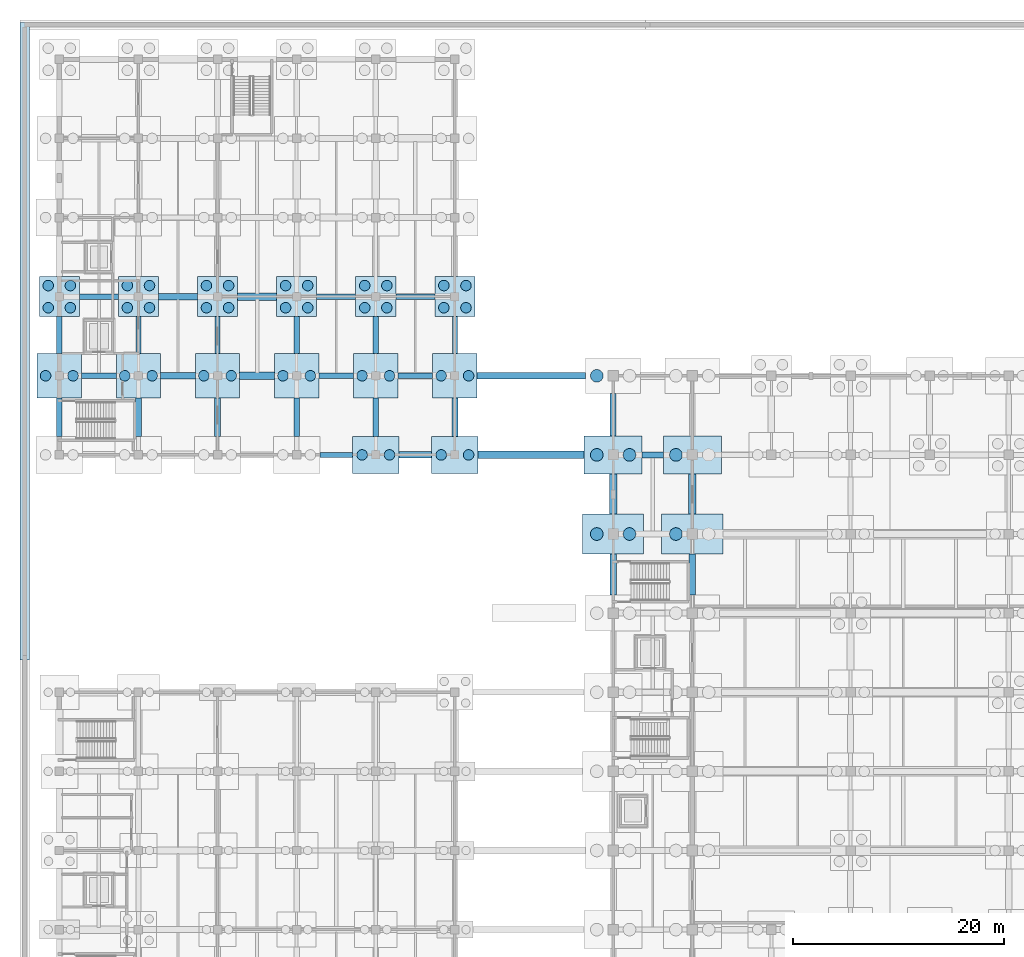
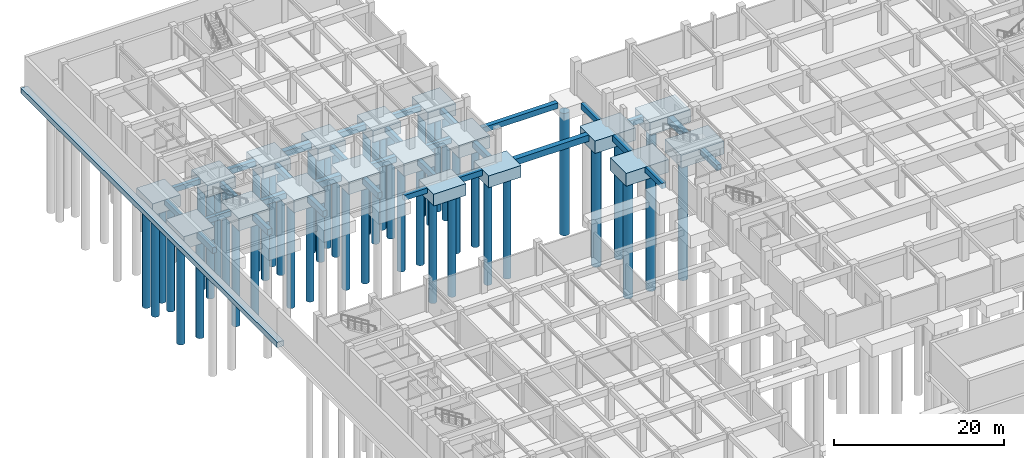
# One storey, part 6 of 38: 51 footings, 47 piles.
"""IFC4 building model written with IfcOpenShell, lengths in metres."""

from ifc_helpers import new_model, si_unit, direction, frame, origin, origin_2d, place, context, subcontext, project, spatial, polyline, rectangle, circle, outline, extrude, material, material_profile, profile_set, type_object, element, save


model = new_model("IFC4")

# Units and contexts
model_context = context("Model", 3, precision=1e-05, world=origin(), true_north=direction((0.0, 1.0)))
body_context = subcontext(model_context, "Body", "Model", "MODEL_VIEW")
ifc_project = project(units=[si_unit("LENGTHUNIT", "METRE"), si_unit("AREAUNIT", "SQUARE_METRE"), si_unit("VOLUMEUNIT", "CUBIC_METRE"), si_unit("PLANEANGLEUNIT", "RADIAN"), si_unit("MASSUNIT", "GRAM", prefix="KILO")], contexts=[model_context])

# Site, building, storey
site_placement = place(None, origin())
site = spatial("IfcSite", under=ifc_project, at=site_placement, CompositionType="ELEMENT")
building_placement = place(site_placement, origin())
building = spatial("IfcBuilding", under=site, at=building_placement, Name="Qasida Concert Hall", CompositionType="ELEMENT")
storey_placement = place(building_placement, frame((0.0, 0.0, -4.800048828125)))
storey = spatial("IfcBuildingStorey", under=building, at=storey_placement, Name="B1", CompositionType="ELEMENT", Elevation=-4.800048828125)

# Footings
ifc_material = material(Name="Concrete C40/50", Category="concrete")
footing_type_1 = type_object("IfcFootingType", Name="FT-GB-1", PredefinedType="FOOTING_BEAM", material=ifc_material)
footing_1_placement = place(storey_placement, frame((0.0, 0.0, -1.169921875)))
element("IfcFooting", 1, at=footing_1_placement, inside=storey, type_object=footing_type_1, Name="Ground tie beam GB-1 104", PredefinedType="FOOTING_BEAM", context=body_context, shape_type="SweptSolid", body=[
    extrude(outline(polyline([(24.699951171875, 74.75), (27.800048828125, 74.75), (27.800048828125, 75.25), (24.699951171875, 75.25), (24.699951171875, 74.75)])), origin(), (0.0, 0.0, 1.0), 0.75),
])
footing_2_placement = place(storey_placement, frame((0.0, 0.0, -1.169921875)))
element("IfcFooting", 2, at=footing_2_placement, inside=storey, type_object=footing_type_1, Name="Ground tie beam GB-1 120", PredefinedType="FOOTING_BEAM", context=body_context, shape_type="SweptSolid", body=[
    extrude(outline(polyline([(2.10009765625, 82.25), (5.39990234375, 82.25), (5.39990234375, 82.75), (2.10009765625, 82.75), (2.10009765625, 82.25)])), origin(), (0.0, 0.0, 1.0), 0.75),
])
footing_3_placement = place(storey_placement, frame((0.0, 0.0, -1.169921875)))
element("IfcFooting", 3, at=footing_3_placement, inside=storey, type_object=footing_type_1, Name="Ground tie beam GB-1 124", PredefinedType="FOOTING_BEAM", context=body_context, shape_type="SweptSolid", body=[
    extrude(outline(polyline([(32.10009765625, 82.25), (35.39990234375, 82.25), (35.39990234375, 82.75), (32.10009765625, 82.75), (32.10009765625, 82.25)])), origin(), (0.0, 0.0, 1.0), 0.75),
])
footing_4_placement = place(storey_placement, frame((0.0, 0.0, -1.169921875)))
element("IfcFooting", 4, at=footing_4_placement, inside=storey, type_object=footing_type_1, Name="Ground tie beam GB-1 140", PredefinedType="FOOTING_BEAM", context=body_context, shape_type="SweptSolid", body=[
    extrude(outline(polyline([(1.89990234375, 89.75), (5.60009765625, 89.75), (5.60009765625, 90.25), (1.89990234375, 90.25), (1.89990234375, 89.75)])), origin(), (0.0, 0.0, 1.0), 0.75),
])
footing_5_placement = place(storey_placement, frame((0.0, 0.0, -1.169921875)))
element("IfcFooting", 5, at=footing_5_placement, inside=storey, type_object=footing_type_1, Name="Ground tie beam GB-1 144", PredefinedType="FOOTING_BEAM", context=body_context, shape_type="SweptSolid", body=[
    extrude(outline(polyline([(31.89990234375, 89.75), (35.60009765625, 89.75), (35.60009765625, 90.25), (31.89990234375, 90.25), (31.89990234375, 89.75)])), origin(), (0.0, 0.0, 1.0), 0.75),
])
footing_6_placement = place(storey_placement, frame((0.0, 0.0, -1.169921875)))
element("IfcFooting", 6, at=footing_6_placement, inside=storey, type_object=footing_type_1, Name="Ground tie beam GB-1 192", PredefinedType="FOOTING_BEAM", context=body_context, shape_type="SweptSolid", body=[
    extrude(outline(polyline([(-0.25, 84.60009765625), (0.25, 84.60009765625), (0.25, 88.10009765625), (-0.25, 88.10009765625), (-0.25, 84.60009765625)])), origin(), (0.0, 0.0, 1.0), 0.75),
])
footing_7_placement = place(storey_placement, frame((0.0, 0.0, -1.169921875)))
element("IfcFooting", 7, at=footing_7_placement, inside=storey, type_object=footing_type_1, Name="Ground tie beam GB-1 204", PredefinedType="FOOTING_BEAM", context=body_context, shape_type="SweptSolid", body=[
    extrude(outline(polyline([(7.25, 84.60009765625), (7.75, 84.60009765625), (7.75, 88.10009765625), (7.25, 88.10009765625), (7.25, 84.60009765625)])), origin(), (0.0, 0.0, 1.0), 0.75),
])
footing_8_placement = place(storey_placement, frame((0.0, 0.0, -1.169921875)))
element("IfcFooting", 8, at=footing_8_placement, inside=storey, type_object=footing_type_1, Name="Ground tie beam GB-1 216", PredefinedType="FOOTING_BEAM", context=body_context, shape_type="SweptSolid", body=[
    extrude(outline(polyline([(14.75, 84.60009765625), (15.25, 84.60009765625), (15.25, 88.10009765625), (14.75, 88.10009765625), (14.75, 84.60009765625)])), origin(), (0.0, 0.0, 1.0), 0.75),
])
footing_9_placement = place(storey_placement, frame((0.0, 0.0, -1.169921875)))
element("IfcFooting", 9, at=footing_9_placement, inside=storey, type_object=footing_type_1, Name="Ground tie beam GB-1 228", PredefinedType="FOOTING_BEAM", context=body_context, shape_type="SweptSolid", body=[
    extrude(outline(polyline([(22.25, 84.60009765625), (22.75, 84.60009765625), (22.75, 88.10009765625), (22.25, 88.10009765625), (22.25, 84.60009765625)])), origin(), (0.0, 0.0, 1.0), 0.75),
])
footing_10_placement = place(storey_placement, frame((0.0, 0.0, -1.169921875)))
element("IfcFooting", 10, at=footing_10_placement, inside=storey, type_object=footing_type_1, Name="Ground tie beam GB-1 240", PredefinedType="FOOTING_BEAM", context=body_context, shape_type="SweptSolid", body=[
    extrude(outline(polyline([(29.75, 84.60009765625), (30.25, 84.60009765625), (30.25, 88.10009765625), (29.75, 88.10009765625), (29.75, 84.60009765625)])), origin(), (0.0, 0.0, 1.0), 0.75),
])
footing_11_placement = place(storey_placement, frame((0.0, 0.0, -1.169921875)))
element("IfcFooting", 11, at=footing_11_placement, inside=storey, type_object=footing_type_1, Name="Ground tie beam GB-1 252", PredefinedType="FOOTING_BEAM", context=body_context, shape_type="SweptSolid", body=[
    extrude(outline(polyline([(37.25, 84.60009765625), (37.75, 84.60009765625), (37.75, 88.10009765625), (37.25, 88.10009765625), (37.25, 84.60009765625)])), origin(), (0.0, 0.0, 1.0), 0.75),
])
footing_type_2 = type_object("IfcFootingType", Name="FT-GB-2", PredefinedType="FOOTING_BEAM", material=ifc_material)
footing_12_placement = place(storey_placement, frame((0.0, 0.0, -1.219970703125)))
element("IfcFooting", 12, at=footing_12_placement, inside=storey, type_object=footing_type_2, Name="Ground tie beam GB-2 105", PredefinedType="FOOTING_BEAM", context=body_context, shape_type="SweptSolid", body=[
    extrude(outline(polyline([(32.199951171875, 74.699951171875), (35.300048828125, 74.699951171875), (35.300048828125, 75.300048828125), (32.199951171875, 75.300048828125), (32.199951171875, 74.699951171875)])), origin(), (0.0, 0.0, 1.0), 0.800048828125),
])
footing_13_placement = place(storey_placement, frame((0.0, 0.0, -1.219970703125)))
element("IfcFooting", 13, at=footing_13_placement, inside=storey, type_object=footing_type_2, Name="Ground tie beam GB-2 121", PredefinedType="FOOTING_BEAM", context=body_context, shape_type="SweptSolid", body=[
    extrude(outline(polyline([(9.60009765625, 82.199951171875), (12.89990234375, 82.199951171875), (12.89990234375, 82.800048828125), (9.60009765625, 82.800048828125), (9.60009765625, 82.199951171875)])), origin(), (0.0, 0.0, 1.0), 0.800048828125),
])
footing_14_placement = place(storey_placement, frame((0.0, 0.0, -1.219970703125)))
element("IfcFooting", 14, at=footing_14_placement, inside=storey, type_object=footing_type_2, Name="Ground tie beam GB-2 125", PredefinedType="FOOTING_BEAM", context=body_context, shape_type="SweptSolid", body=[
    extrude(outline(polyline([(39.60009765625, 82.199951171875), (49.89990234375, 82.199951171875), (49.89990234375, 82.800048828125), (39.60009765625, 82.800048828125), (39.60009765625, 82.199951171875)])), origin(), (0.0, 0.0, 1.0), 0.800048828125),
])
footing_15_placement = place(storey_placement, frame((0.0, 0.0, -1.219970703125)))
element("IfcFooting", 15, at=footing_15_placement, inside=storey, type_object=footing_type_2, Name="Ground tie beam GB-2 141", PredefinedType="FOOTING_BEAM", context=body_context, shape_type="SweptSolid", body=[
    extrude(outline(polyline([(9.39990234375, 89.699951171875), (13.10009765625, 89.699951171875), (13.10009765625, 90.300048828125), (9.39990234375, 90.300048828125), (9.39990234375, 89.699951171875)])), origin(), (0.0, 0.0, 1.0), 0.800048828125),
])
footing_16_placement = place(storey_placement, frame((0.0, 0.0, -1.219970703125)))
element("IfcFooting", 16, at=footing_16_placement, inside=storey, type_object=footing_type_2, Name="Ground tie beam GB-2 261", PredefinedType="FOOTING_BEAM", context=body_context, shape_type="SweptSolid", body=[
    extrude(outline(polyline([(52.199951171875, 61.699951171875), (52.800048828125, 61.699951171875), (52.800048828125, 65.60009765625), (52.199951171875, 65.60009765625), (52.199951171875, 61.699951171875)])), origin(), (0.0, 0.0, 1.0), 0.800048828125),
])
footing_17_placement = place(storey_placement, frame((0.0, 0.0, -1.219970703125)))
element("IfcFooting", 17, at=footing_17_placement, inside=storey, type_object=footing_type_2, Name="Ground tie beam GB-2 269", PredefinedType="FOOTING_BEAM", context=body_context, shape_type="SweptSolid", body=[
    extrude(outline(polyline([(59.699951171875, 61.699951171875), (60.300048828125, 61.699951171875), (60.300048828125, 65.60009765625), (59.699951171875, 65.60009765625), (59.699951171875, 61.699951171875)])), origin(), (0.0, 0.0, 1.0), 0.800048828125),
])
footing_type_3 = type_object("IfcFootingType", Name="FT-GB-3", PredefinedType="FOOTING_BEAM", material=ifc_material)
footing_18_placement = place(storey_placement, frame((0.0, 0.0, -1.320068359375)))
element("IfcFooting", 18, at=footing_18_placement, inside=storey, type_object=footing_type_3, Name="Ground tie beam GB-3 106", PredefinedType="FOOTING_BEAM", context=body_context, shape_type="SweptSolid", body=[
    extrude(outline(polyline([(39.699951171875, 74.64990234375), (49.75, 74.64990234375), (49.75, 75.35009765625), (39.699951171875, 75.35009765625), (39.699951171875, 74.64990234375)])), origin(), (0.0, 0.0, 1.0), 0.900146484375),
])
footing_19_placement = place(storey_placement, frame((0.0, 0.0, -1.320068359375)))
element("IfcFooting", 19, at=footing_19_placement, inside=storey, type_object=footing_type_3, Name="Ground tie beam GB-3 122", PredefinedType="FOOTING_BEAM", context=body_context, shape_type="SweptSolid", body=[
    extrude(outline(polyline([(17.10009765625, 82.14990234375), (20.39990234375, 82.14990234375), (20.39990234375, 82.85009765625), (17.10009765625, 82.85009765625), (17.10009765625, 82.14990234375)])), origin(), (0.0, 0.0, 1.0), 0.900146484375),
])
footing_20_placement = place(storey_placement, frame((0.0, 0.0, -1.320068359375)))
element("IfcFooting", 20, at=footing_20_placement, inside=storey, type_object=footing_type_3, Name="Ground tie beam GB-3 142", PredefinedType="FOOTING_BEAM", context=body_context, shape_type="SweptSolid", body=[
    extrude(outline(polyline([(16.89990234375, 89.64990234375), (20.60009765625, 89.64990234375), (20.60009765625, 90.35009765625), (16.89990234375, 90.35009765625), (16.89990234375, 89.64990234375)])), origin(), (0.0, 0.0, 1.0), 0.900146484375),
])
footing_21_placement = place(storey_placement, frame((0.0, 0.0, -1.320068359375)))
element("IfcFooting", 21, at=footing_21_placement, inside=storey, type_object=footing_type_3, Name="Ground tie beam GB-3 262", PredefinedType="FOOTING_BEAM", context=body_context, shape_type="SweptSolid", body=[
    extrude(outline(polyline([(52.14990234375, 69.39990234375), (52.85009765625, 69.39990234375), (52.85009765625, 73.199951171875), (52.14990234375, 73.199951171875), (52.14990234375, 69.39990234375)])), origin(), (0.0, 0.0, 1.0), 0.900146484375),
])
footing_22_placement = place(storey_placement, frame((0.0, 0.0, -1.320068359375)))
element("IfcFooting", 22, at=footing_22_placement, inside=storey, type_object=footing_type_3, Name="Ground tie beam GB-3 270", PredefinedType="FOOTING_BEAM", context=body_context, shape_type="SweptSolid", body=[
    extrude(outline(polyline([(59.64990234375, 69.39990234375), (60.35009765625, 69.39990234375), (60.35009765625, 73.199951171875), (59.64990234375, 73.199951171875), (59.64990234375, 69.39990234375)])), origin(), (0.0, 0.0, 1.0), 0.900146484375),
])
footing_type_4 = type_object("IfcFootingType", Name="FT-GB-4", PredefinedType="FOOTING_BEAM", material=ifc_material)
footing_23_placement = place(storey_placement, frame((0.0, 0.0, -1.27001953125)))
element("IfcFooting", 23, at=footing_23_placement, inside=storey, type_object=footing_type_4, Name="Ground tie beam GB-4 107", PredefinedType="FOOTING_BEAM", context=body_context, shape_type="SweptSolid", body=[
    extrude(outline(polyline([(55.25, 74.72509765625), (57.25, 74.72509765625), (57.25, 75.27490234375), (55.25, 75.27490234375), (55.25, 74.72509765625)])), origin(), (0.0, 0.0, 1.0), 0.85009765625),
])
footing_24_placement = place(storey_placement, frame((0.0, 0.0, -1.27001953125)))
element("IfcFooting", 24, at=footing_24_placement, inside=storey, type_object=footing_type_4, Name="Ground tie beam GB-4 123", PredefinedType="FOOTING_BEAM", context=body_context, shape_type="SweptSolid", body=[
    extrude(outline(polyline([(24.60009765625, 82.22509765625), (27.89990234375, 82.22509765625), (27.89990234375, 82.77490234375), (24.60009765625, 82.77490234375), (24.60009765625, 82.22509765625)])), origin(), (0.0, 0.0, 1.0), 0.85009765625),
])
footing_25_placement = place(storey_placement, frame((0.0, 0.0, -1.27001953125)))
element("IfcFooting", 25, at=footing_25_placement, inside=storey, type_object=footing_type_4, Name="Ground tie beam GB-4 143", PredefinedType="FOOTING_BEAM", context=body_context, shape_type="SweptSolid", body=[
    extrude(outline(polyline([(24.39990234375, 89.72509765625), (28.10009765625, 89.72509765625), (28.10009765625, 90.27490234375), (24.39990234375, 90.27490234375), (24.39990234375, 89.72509765625)])), origin(), (0.0, 0.0, 1.0), 0.85009765625),
])
footing_26_placement = place(storey_placement, frame((0.0, 0.0, -1.27001953125)))
element("IfcFooting", 26, at=footing_26_placement, inside=storey, type_object=footing_type_4, Name="Ground tie beam GB-4 191", PredefinedType="FOOTING_BEAM", context=body_context, shape_type="SweptSolid", body=[
    extrude(outline(polyline([(-0.27490234375, 76.75), (0.27490234375, 76.75), (0.27490234375, 80.39990234375), (-0.27490234375, 80.39990234375), (-0.27490234375, 76.75)])), origin(), (0.0, 0.0, 1.0), 0.85009765625),
])
footing_27_placement = place(storey_placement, frame((0.0, 0.0, -1.27001953125)))
element("IfcFooting", 27, at=footing_27_placement, inside=storey, type_object=footing_type_4, Name="Ground tie beam GB-4 203", PredefinedType="FOOTING_BEAM", context=body_context, shape_type="SweptSolid", body=[
    extrude(outline(polyline([(7.22509765625, 76.75), (7.77490234375, 76.75), (7.77490234375, 80.39990234375), (7.22509765625, 80.39990234375), (7.22509765625, 76.75)])), origin(), (0.0, 0.0, 1.0), 0.85009765625),
])
footing_28_placement = place(storey_placement, frame((0.0, 0.0, -1.27001953125)))
element("IfcFooting", 28, at=footing_28_placement, inside=storey, type_object=footing_type_4, Name="Ground tie beam GB-4 215", PredefinedType="FOOTING_BEAM", context=body_context, shape_type="SweptSolid", body=[
    extrude(outline(polyline([(14.72509765625, 76.75), (15.27490234375, 76.75), (15.27490234375, 80.39990234375), (14.72509765625, 80.39990234375), (14.72509765625, 76.75)])), origin(), (0.0, 0.0, 1.0), 0.85009765625),
])
footing_29_placement = place(storey_placement, frame((0.0, 0.0, -1.27001953125)))
element("IfcFooting", 29, at=footing_29_placement, inside=storey, type_object=footing_type_4, Name="Ground tie beam GB-4 227", PredefinedType="FOOTING_BEAM", context=body_context, shape_type="SweptSolid", body=[
    extrude(outline(polyline([(22.22509765625, 76.75), (22.77490234375, 76.75), (22.77490234375, 80.39990234375), (22.22509765625, 80.39990234375), (22.22509765625, 76.75)])), origin(), (0.0, 0.0, 1.0), 0.85009765625),
])
footing_30_placement = place(storey_placement, frame((0.0, 0.0, -1.27001953125)))
element("IfcFooting", 30, at=footing_30_placement, inside=storey, type_object=footing_type_4, Name="Ground tie beam GB-4 239", PredefinedType="FOOTING_BEAM", context=body_context, shape_type="SweptSolid", body=[
    extrude(outline(polyline([(29.72509765625, 76.75), (30.27490234375, 76.75), (30.27490234375, 80.39990234375), (29.72509765625, 80.39990234375), (29.72509765625, 76.75)])), origin(), (0.0, 0.0, 1.0), 0.85009765625),
])
footing_31_placement = place(storey_placement, frame((0.0, 0.0, -1.27001953125)))
element("IfcFooting", 31, at=footing_31_placement, inside=storey, type_object=footing_type_4, Name="Ground tie beam GB-4 251", PredefinedType="FOOTING_BEAM", context=body_context, shape_type="SweptSolid", body=[
    extrude(outline(polyline([(37.22509765625, 76.75), (37.77490234375, 76.75), (37.77490234375, 80.39990234375), (37.22509765625, 80.39990234375), (37.22509765625, 76.75)])), origin(), (0.0, 0.0, 1.0), 0.85009765625),
])
footing_32_placement = place(storey_placement, frame((0.0, 0.0, -1.27001953125)))
element("IfcFooting", 32, at=footing_32_placement, inside=storey, type_object=footing_type_4, Name="Ground tie beam GB-4 263", PredefinedType="FOOTING_BEAM", context=body_context, shape_type="SweptSolid", body=[
    extrude(outline(polyline([(52.22509765625, 76.800048828125), (52.77490234375, 76.800048828125), (52.77490234375, 80.800048828125), (52.22509765625, 80.800048828125), (52.22509765625, 76.800048828125)])), origin(), (0.0, 0.0, 1.0), 0.85009765625),
])
footing_type_5 = type_object("IfcFootingType", Name="FT-PC-4C", PredefinedType="PILE_CAP", material=ifc_material)
for number, where, z_axis, x_axis, name in (
    (33, (0.0, 90.0, -2.1201171875), (0.0, 0.0, 1.0), (1.0, 0.0, 0.0), "Pile cap PC-4C 181"),
    (34, (7.5, 90.0, -2.1201171875), (0.0, 0.0, 1.0), (1.0, 0.0, 0.0), "Pile cap PC-4C 187"),
    (35, (15.0, 90.0, -2.1201171875), (0.0, 0.0, 1.0), (1.0, 0.0, 0.0), "Pile cap PC-4C 193"),
    (36, (22.5, 90.0, -2.1201171875), (0.0, 0.0, 1.0), (1.0, 0.0, 0.0), "Pile cap PC-4C 199"),
    (37, (30.0, 90.0, -2.1201171875), (0.0, 0.0, 1.0), (1.0, 0.0, 0.0), "Pile cap PC-4C 205"),
    (38, (37.5, 90.0, -2.1201171875), (0.0, 0.0, 1.0), (1.0, 0.0, 0.0), "Pile cap PC-4C 211"),
):
    element("IfcFooting", number, at=place(storey_placement, frame(where, z_axis=z_axis, x_axis=x_axis)), inside=storey, type_object=footing_type_5, Name=name, PredefinedType="PILE_CAP", context=body_context, shape_type="SweptSolid", body=[
        extrude(rectangle(XDim=3.800048828125, YDim=3.800048828125, at=origin_2d()), origin(), (0.0, 0.0, 1.0), 1.699951171875),
    ])
footing_type_6 = type_object("IfcFootingType", Name="FT-PC-4D", PredefinedType="PILE_CAP", material=ifc_material)
for number, where, z_axis, x_axis, name in (
    (39, (0.0, 82.5, -2.22021484375), (0.0, 0.0, 1.0), (1.0, 0.0, 0.0), "Pile cap PC-4D 180"),
    (40, (7.5, 82.5, -2.22021484375), (0.0, 0.0, 1.0), (1.0, 0.0, 0.0), "Pile cap PC-4D 186"),
    (41, (15.0, 82.5, -2.22021484375), (0.0, 0.0, 1.0), (1.0, 0.0, 0.0), "Pile cap PC-4D 192"),
    (42, (22.5, 82.5, -2.22021484375), (0.0, 0.0, 1.0), (1.0, 0.0, 0.0), "Pile cap PC-4D 198"),
    (43, (30.0, 82.5, -2.22021484375), (0.0, 0.0, 1.0), (1.0, 0.0, 0.0), "Pile cap PC-4D 204"),
    (44, (37.5, 82.5, -2.22021484375), (0.0, 0.0, 1.0), (1.0, 0.0, 0.0), "Pile cap PC-4D 210"),
):
    element("IfcFooting", number, at=place(storey_placement, frame(where, z_axis=z_axis, x_axis=x_axis)), inside=storey, type_object=footing_type_6, Name=name, PredefinedType="PILE_CAP", context=body_context, shape_type="SweptSolid", body=[
        extrude(rectangle(XDim=4.199951171875, YDim=4.199951171875, at=origin_2d()), origin(), (0.0, 0.0, 1.0), 1.800048828125),
    ])
footing_type_7 = type_object("IfcFootingType", Name="FT-PC-4F", PredefinedType="PILE_CAP", material=ifc_material)
for number, where, z_axis, x_axis, name in (
    (45, (30.0, 75.0, -2.1201171875), (0.0, 0.0, 1.0), (1.0, 0.0, 0.0), "Pile cap PC-4F 203"),
    (46, (37.5, 75.0, -2.1201171875), (0.0, 0.0, 1.0), (1.0, 0.0, 0.0), "Pile cap PC-4F 209"),
):
    element("IfcFooting", number, at=place(storey_placement, frame(where, z_axis=z_axis, x_axis=x_axis)), inside=storey, type_object=footing_type_7, Name=name, PredefinedType="PILE_CAP", context=body_context, shape_type="SweptSolid", body=[
        extrude(rectangle(XDim=4.39990234375, YDim=3.5, at=origin_2d()), origin(), (0.0, 0.0, 1.0), 1.699951171875),
    ])
footing_type_8 = type_object("IfcFootingType", Name="FT-PC-6B", PredefinedType="PILE_CAP", material=ifc_material)
for number, where, z_axis, x_axis, name in (
    (47, (52.5, 67.5, -2.27001953125), (0.0, 0.0, 1.0), (1.0, 0.0, 0.0), "Pile cap PC-6B 007"),
    (48, (60.0, 67.5, -2.27001953125), (0.0, 0.0, 1.0), (1.0, 0.0, 0.0), "Pile cap PC-6B 016"),
):
    element("IfcFooting", number, at=place(storey_placement, frame(where, z_axis=z_axis, x_axis=x_axis)), inside=storey, type_object=footing_type_8, Name=name, PredefinedType="PILE_CAP", context=body_context, shape_type="SweptSolid", body=[
        extrude(rectangle(XDim=5.800048828125, YDim=3.800048828125, at=origin_2d()), origin(), (0.0, 0.0, 1.0), 1.85009765625),
    ])
footing_type_9 = type_object("IfcFootingType", Name="FT-PC-6C", PredefinedType="PILE_CAP", material=ifc_material)
for number, where, z_axis, x_axis, name in (
    (49, (52.5, 75.0, -2.22021484375), (0.0, 0.0, 1.0), (1.0, 0.0, 0.0), "Pile cap PC-6C 008"),
    (50, (60.0, 75.0, -2.22021484375), (0.0, 0.0, 1.0), (1.0, 0.0, 0.0), "Pile cap PC-6C 017"),
):
    element("IfcFooting", number, at=place(storey_placement, frame(where, z_axis=z_axis, x_axis=x_axis)), inside=storey, type_object=footing_type_9, Name=name, PredefinedType="PILE_CAP", context=body_context, shape_type="SweptSolid", body=[
        extrude(rectangle(XDim=5.5, YDim=3.60009765625, at=origin_2d()), origin(), (0.0, 0.0, 1.0), 1.800048828125),
    ])
footing_type_10 = type_object("IfcFootingType", Name="FT-SF-2A", PredefinedType="STRIP_FOOTING", material=ifc_material)
footing_33_placement = place(storey_placement, frame((0.0, 0.0, -0.75)))
element("IfcFooting", 51, at=footing_33_placement, inside=storey, type_object=footing_type_10, Name="B1 plaza plinth strip footing PLW-W2", PredefinedType="STRIP_FOOTING", context=body_context, shape_type="SweptSolid", body=[
    extrude(outline(polyline([(-3.72509765625, 55.550048828125), (-2.824951171875, 55.550048828125), (-2.824951171875, 116.0), (-3.72509765625, 116.0), (-3.72509765625, 55.550048828125)])), origin(), (0.0, 0.0, 1.0), 0.75),
])

# Piles
ifc_material_profile_1 = material_profile(ifc_material, circle(Radius=0.5, at=origin_2d()), Name="BORED PILE D1000")
ifc_profile_set_1 = profile_set([ifc_material_profile_1], Name="Concrete C40/50")
pile_type_1 = type_object("IfcPileType", Name="PL-BORED-1000", PredefinedType="BORED", material=ifc_profile_set_1)
for number, where, z_axis, x_axis, name in (
    (52, (-1.300048828125, 82.5, -2.119873046875), (0.0, 0.0, -1.0), (1.0, 0.0, 0.0), "Bored pile 0411"),
    (53, (1.300048828125, 82.5, -2.119873046875), (0.0, 0.0, -1.0), (1.0, 0.0, 0.0), "Bored pile 0412"),
):
    element("IfcPile", number, at=place(storey_placement, frame(where, z_axis=z_axis, x_axis=x_axis)), inside=storey, type_object=pile_type_1, Name=name, PredefinedType="BORED", context=body_context, shape_type="SweptSolid", body=[
        extrude(circle(Radius=0.5, at=origin_2d()), origin(), (0.0, 0.0, 1.0), 15.080078125),
    ])
for number, where, z_axis, x_axis, name in (
    (54, (-1.050048828125, 88.949951171875, -2.02001953125), (0.0, 0.0, -1.0), (1.0, 0.0, 0.0), "Bored pile 0413"),
    (55, (1.050048828125, 88.949951171875, -2.02001953125), (0.0, 0.0, -1.0), (1.0, 0.0, 0.0), "Bored pile 0414"),
    (56, (-1.050048828125, 91.050048828125, -2.02001953125), (0.0, 0.0, -1.0), (1.0, 0.0, 0.0), "Bored pile 0415"),
    (57, (1.050048828125, 91.050048828125, -2.02001953125), (0.0, 0.0, -1.0), (1.0, 0.0, 0.0), "Bored pile 0416"),
):
    element("IfcPile", number, at=place(storey_placement, frame(where, z_axis=z_axis, x_axis=x_axis)), inside=storey, type_object=pile_type_1, Name=name, PredefinedType="BORED", context=body_context, shape_type="SweptSolid", body=[
        extrude(circle(Radius=0.5, at=origin_2d()), origin(), (0.0, 0.0, 1.0), 15.179931640625),
    ])
for number, where, z_axis, x_axis, name in (
    (58, (6.199951171875, 82.5, -2.119873046875), (0.0, 0.0, -1.0), (1.0, 0.0, 0.0), "Bored pile 0427"),
    (59, (8.800048828125, 82.5, -2.119873046875), (0.0, 0.0, -1.0), (1.0, 0.0, 0.0), "Bored pile 0428"),
):
    element("IfcPile", number, at=place(storey_placement, frame(where, z_axis=z_axis, x_axis=x_axis)), inside=storey, type_object=pile_type_1, Name=name, PredefinedType="BORED", context=body_context, shape_type="SweptSolid", body=[
        extrude(circle(Radius=0.5, at=origin_2d()), origin(), (0.0, 0.0, 1.0), 15.080078125),
    ])
for number, where, z_axis, x_axis, name in (
    (60, (6.449951171875, 88.949951171875, -2.02001953125), (0.0, 0.0, -1.0), (1.0, 0.0, 0.0), "Bored pile 0429"),
    (61, (8.550048828125, 88.949951171875, -2.02001953125), (0.0, 0.0, -1.0), (1.0, 0.0, 0.0), "Bored pile 0430"),
    (62, (6.449951171875, 91.050048828125, -2.02001953125), (0.0, 0.0, -1.0), (1.0, 0.0, 0.0), "Bored pile 0431"),
    (63, (8.550048828125, 91.050048828125, -2.02001953125), (0.0, 0.0, -1.0), (1.0, 0.0, 0.0), "Bored pile 0432"),
):
    element("IfcPile", number, at=place(storey_placement, frame(where, z_axis=z_axis, x_axis=x_axis)), inside=storey, type_object=pile_type_1, Name=name, PredefinedType="BORED", context=body_context, shape_type="SweptSolid", body=[
        extrude(circle(Radius=0.5, at=origin_2d()), origin(), (0.0, 0.0, 1.0), 15.179931640625),
    ])
for number, where, z_axis, x_axis, name in (
    (64, (13.699951171875, 82.5, -2.119873046875), (0.0, 0.0, -1.0), (1.0, 0.0, 0.0), "Bored pile 0443"),
    (65, (16.300048828125, 82.5, -2.119873046875), (0.0, 0.0, -1.0), (1.0, 0.0, 0.0), "Bored pile 0444"),
):
    element("IfcPile", number, at=place(storey_placement, frame(where, z_axis=z_axis, x_axis=x_axis)), inside=storey, type_object=pile_type_1, Name=name, PredefinedType="BORED", context=body_context, shape_type="SweptSolid", body=[
        extrude(circle(Radius=0.5, at=origin_2d()), origin(), (0.0, 0.0, 1.0), 15.080078125),
    ])
for number, where, z_axis, x_axis, name in (
    (66, (13.949951171875, 88.949951171875, -2.02001953125), (0.0, 0.0, -1.0), (1.0, 0.0, 0.0), "Bored pile 0445"),
    (67, (16.050048828125, 88.949951171875, -2.02001953125), (0.0, 0.0, -1.0), (1.0, 0.0, 0.0), "Bored pile 0446"),
    (68, (13.949951171875, 91.050048828125, -2.02001953125), (0.0, 0.0, -1.0), (1.0, 0.0, 0.0), "Bored pile 0447"),
    (69, (16.050048828125, 91.050048828125, -2.02001953125), (0.0, 0.0, -1.0), (1.0, 0.0, 0.0), "Bored pile 0448"),
):
    element("IfcPile", number, at=place(storey_placement, frame(where, z_axis=z_axis, x_axis=x_axis)), inside=storey, type_object=pile_type_1, Name=name, PredefinedType="BORED", context=body_context, shape_type="SweptSolid", body=[
        extrude(circle(Radius=0.5, at=origin_2d()), origin(), (0.0, 0.0, 1.0), 15.179931640625),
    ])
for number, where, z_axis, x_axis, name in (
    (70, (21.199951171875, 82.5, -2.119873046875), (0.0, 0.0, -1.0), (1.0, 0.0, 0.0), "Bored pile 0459"),
    (71, (23.800048828125, 82.5, -2.119873046875), (0.0, 0.0, -1.0), (1.0, 0.0, 0.0), "Bored pile 0460"),
):
    element("IfcPile", number, at=place(storey_placement, frame(where, z_axis=z_axis, x_axis=x_axis)), inside=storey, type_object=pile_type_1, Name=name, PredefinedType="BORED", context=body_context, shape_type="SweptSolid", body=[
        extrude(circle(Radius=0.5, at=origin_2d()), origin(), (0.0, 0.0, 1.0), 15.080078125),
    ])
for number, where, z_axis, x_axis, name in (
    (72, (21.449951171875, 88.949951171875, -2.02001953125), (0.0, 0.0, -1.0), (1.0, 0.0, 0.0), "Bored pile 0461"),
    (73, (23.550048828125, 88.949951171875, -2.02001953125), (0.0, 0.0, -1.0), (1.0, 0.0, 0.0), "Bored pile 0462"),
    (74, (21.449951171875, 91.050048828125, -2.02001953125), (0.0, 0.0, -1.0), (1.0, 0.0, 0.0), "Bored pile 0463"),
    (75, (23.550048828125, 91.050048828125, -2.02001953125), (0.0, 0.0, -1.0), (1.0, 0.0, 0.0), "Bored pile 0464"),
    (76, (28.699951171875, 75.0, -2.02001953125), (0.0, 0.0, -1.0), (1.0, 0.0, 0.0), "Bored pile 0473"),
    (77, (31.300048828125, 75.0, -2.02001953125), (0.0, 0.0, -1.0), (1.0, 0.0, 0.0), "Bored pile 0474"),
):
    element("IfcPile", number, at=place(storey_placement, frame(where, z_axis=z_axis, x_axis=x_axis)), inside=storey, type_object=pile_type_1, Name=name, PredefinedType="BORED", context=body_context, shape_type="SweptSolid", body=[
        extrude(circle(Radius=0.5, at=origin_2d()), origin(), (0.0, 0.0, 1.0), 15.179931640625),
    ])
for number, where, z_axis, x_axis, name in (
    (78, (28.699951171875, 82.5, -2.119873046875), (0.0, 0.0, -1.0), (1.0, 0.0, 0.0), "Bored pile 0475"),
    (79, (31.300048828125, 82.5, -2.119873046875), (0.0, 0.0, -1.0), (1.0, 0.0, 0.0), "Bored pile 0476"),
):
    element("IfcPile", number, at=place(storey_placement, frame(where, z_axis=z_axis, x_axis=x_axis)), inside=storey, type_object=pile_type_1, Name=name, PredefinedType="BORED", context=body_context, shape_type="SweptSolid", body=[
        extrude(circle(Radius=0.5, at=origin_2d()), origin(), (0.0, 0.0, 1.0), 15.080078125),
    ])
for number, where, z_axis, x_axis, name in (
    (80, (28.949951171875, 88.949951171875, -2.02001953125), (0.0, 0.0, -1.0), (1.0, 0.0, 0.0), "Bored pile 0477"),
    (81, (31.050048828125, 88.949951171875, -2.02001953125), (0.0, 0.0, -1.0), (1.0, 0.0, 0.0), "Bored pile 0478"),
    (82, (28.949951171875, 91.050048828125, -2.02001953125), (0.0, 0.0, -1.0), (1.0, 0.0, 0.0), "Bored pile 0479"),
    (83, (31.050048828125, 91.050048828125, -2.02001953125), (0.0, 0.0, -1.0), (1.0, 0.0, 0.0), "Bored pile 0480"),
    (84, (36.199951171875, 75.0, -2.02001953125), (0.0, 0.0, -1.0), (1.0, 0.0, 0.0), "Bored pile 0489"),
    (85, (38.800048828125, 75.0, -2.02001953125), (0.0, 0.0, -1.0), (1.0, 0.0, 0.0), "Bored pile 0490"),
):
    element("IfcPile", number, at=place(storey_placement, frame(where, z_axis=z_axis, x_axis=x_axis)), inside=storey, type_object=pile_type_1, Name=name, PredefinedType="BORED", context=body_context, shape_type="SweptSolid", body=[
        extrude(circle(Radius=0.5, at=origin_2d()), origin(), (0.0, 0.0, 1.0), 15.179931640625),
    ])
for number, where, z_axis, x_axis, name in (
    (86, (36.199951171875, 82.5, -2.119873046875), (0.0, 0.0, -1.0), (1.0, 0.0, 0.0), "Bored pile 0491"),
    (87, (38.800048828125, 82.5, -2.119873046875), (0.0, 0.0, -1.0), (1.0, 0.0, 0.0), "Bored pile 0492"),
):
    element("IfcPile", number, at=place(storey_placement, frame(where, z_axis=z_axis, x_axis=x_axis)), inside=storey, type_object=pile_type_1, Name=name, PredefinedType="BORED", context=body_context, shape_type="SweptSolid", body=[
        extrude(circle(Radius=0.5, at=origin_2d()), origin(), (0.0, 0.0, 1.0), 15.080078125),
    ])
for number, where, z_axis, x_axis, name in (
    (88, (36.449951171875, 88.949951171875, -2.02001953125), (0.0, 0.0, -1.0), (1.0, 0.0, 0.0), "Bored pile 0493"),
    (89, (38.550048828125, 88.949951171875, -2.02001953125), (0.0, 0.0, -1.0), (1.0, 0.0, 0.0), "Bored pile 0494"),
    (90, (36.449951171875, 91.050048828125, -2.02001953125), (0.0, 0.0, -1.0), (1.0, 0.0, 0.0), "Bored pile 0495"),
    (91, (38.550048828125, 91.050048828125, -2.02001953125), (0.0, 0.0, -1.0), (1.0, 0.0, 0.0), "Bored pile 0496"),
):
    element("IfcPile", number, at=place(storey_placement, frame(where, z_axis=z_axis, x_axis=x_axis)), inside=storey, type_object=pile_type_1, Name=name, PredefinedType="BORED", context=body_context, shape_type="SweptSolid", body=[
        extrude(circle(Radius=0.5, at=origin_2d()), origin(), (0.0, 0.0, 1.0), 15.179931640625),
    ])
ifc_material_profile_2 = material_profile(ifc_material, circle(Radius=0.60009765625, at=origin_2d()), Name="BORED PILE D1200")
ifc_profile_set_2 = profile_set([ifc_material_profile_2], Name="Concrete C40/50")
pile_type_2 = type_object("IfcPileType", Name="PL-BORED-1200", PredefinedType="BORED", material=ifc_profile_set_2)
for number, where, z_axis, x_axis, name in (
    (92, (50.949951171875, 67.5, -2.169921875), (0.0, 0.0, -1.0), (1.0, 0.0, 0.0), "Bored pile 0013"),
    (93, (54.050048828125, 67.5, -2.169921875), (0.0, 0.0, -1.0), (1.0, 0.0, 0.0), "Bored pile 0014"),
):
    element("IfcPile", number, at=place(storey_placement, frame(where, z_axis=z_axis, x_axis=x_axis)), inside=storey, type_object=pile_type_2, Name=name, PredefinedType="BORED", context=body_context, shape_type="SweptSolid", body=[
        extrude(circle(Radius=0.60009765625, at=origin_2d()), origin(), (0.0, 0.0, 1.0), 17.530029296875),
    ])
for number, where, z_axis, x_axis, name in (
    (94, (50.949951171875, 75.0, -2.119873046875), (0.0, 0.0, -1.0), (1.0, 0.0, 0.0), "Bored pile 0015"),
    (95, (54.050048828125, 75.0, -2.119873046875), (0.0, 0.0, -1.0), (1.0, 0.0, 0.0), "Bored pile 0016"),
):
    element("IfcPile", number, at=place(storey_placement, frame(where, z_axis=z_axis, x_axis=x_axis)), inside=storey, type_object=pile_type_2, Name=name, PredefinedType="BORED", context=body_context, shape_type="SweptSolid", body=[
        extrude(circle(Radius=0.60009765625, at=origin_2d()), origin(), (0.0, 0.0, 1.0), 17.580078125),
    ])
pile_1_placement = place(storey_placement, frame((50.949951171875, 82.5, -2.070068359375), z_axis=(0.0, 0.0, -1.0), x_axis=(1.0, 0.0, 0.0)))
element("IfcPile", 96, at=pile_1_placement, inside=storey, type_object=pile_type_2, Name="Bored pile 0017", PredefinedType="BORED", context=body_context, shape_type="SweptSolid", body=[
    extrude(circle(Radius=0.60009765625, at=origin_2d()), origin(), (0.0, 0.0, 1.0), 17.6298828125),
])
pile_2_placement = place(storey_placement, frame((58.449951171875, 67.5, -2.169921875), z_axis=(0.0, 0.0, -1.0), x_axis=(1.0, 0.0, 0.0)))
element("IfcPile", 97, at=pile_2_placement, inside=storey, type_object=pile_type_2, Name="Bored pile 0031", PredefinedType="BORED", context=body_context, shape_type="SweptSolid", body=[
    extrude(circle(Radius=0.60009765625, at=origin_2d()), origin(), (0.0, 0.0, 1.0), 17.530029296875),
])
pile_3_placement = place(storey_placement, frame((58.449951171875, 75.0, -2.119873046875), z_axis=(0.0, 0.0, -1.0), x_axis=(1.0, 0.0, 0.0)))
element("IfcPile", 98, at=pile_3_placement, inside=storey, type_object=pile_type_2, Name="Bored pile 0033", PredefinedType="BORED", context=body_context, shape_type="SweptSolid", body=[
    extrude(circle(Radius=0.60009765625, at=origin_2d()), origin(), (0.0, 0.0, 1.0), 17.580078125),
])

save(model, "model.ifc")
